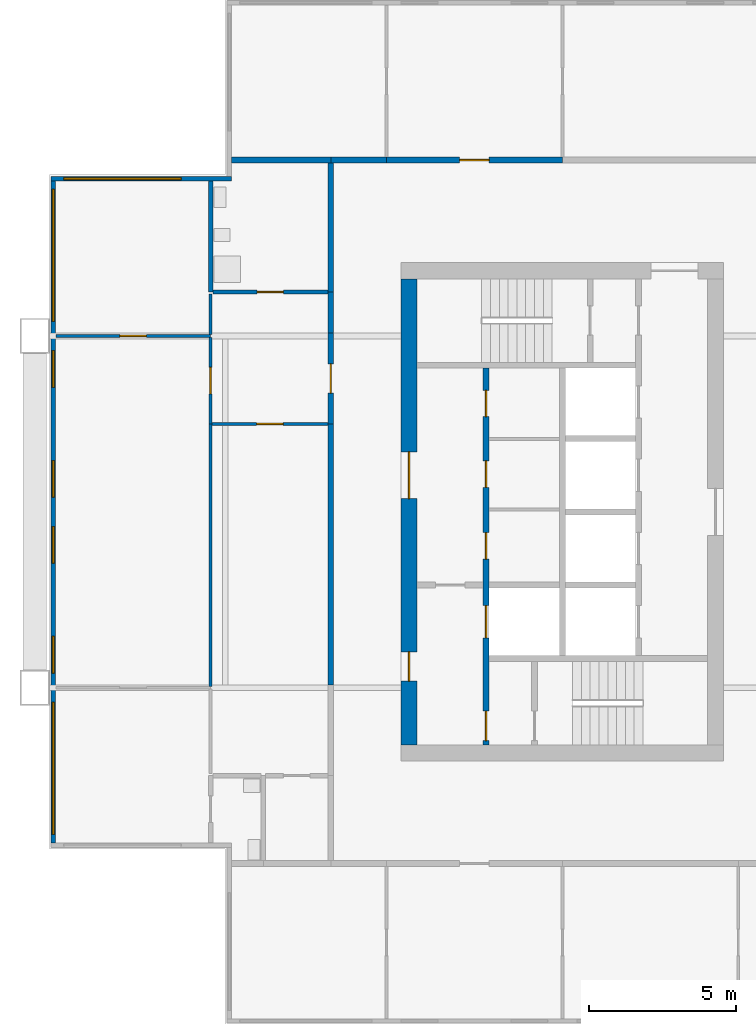
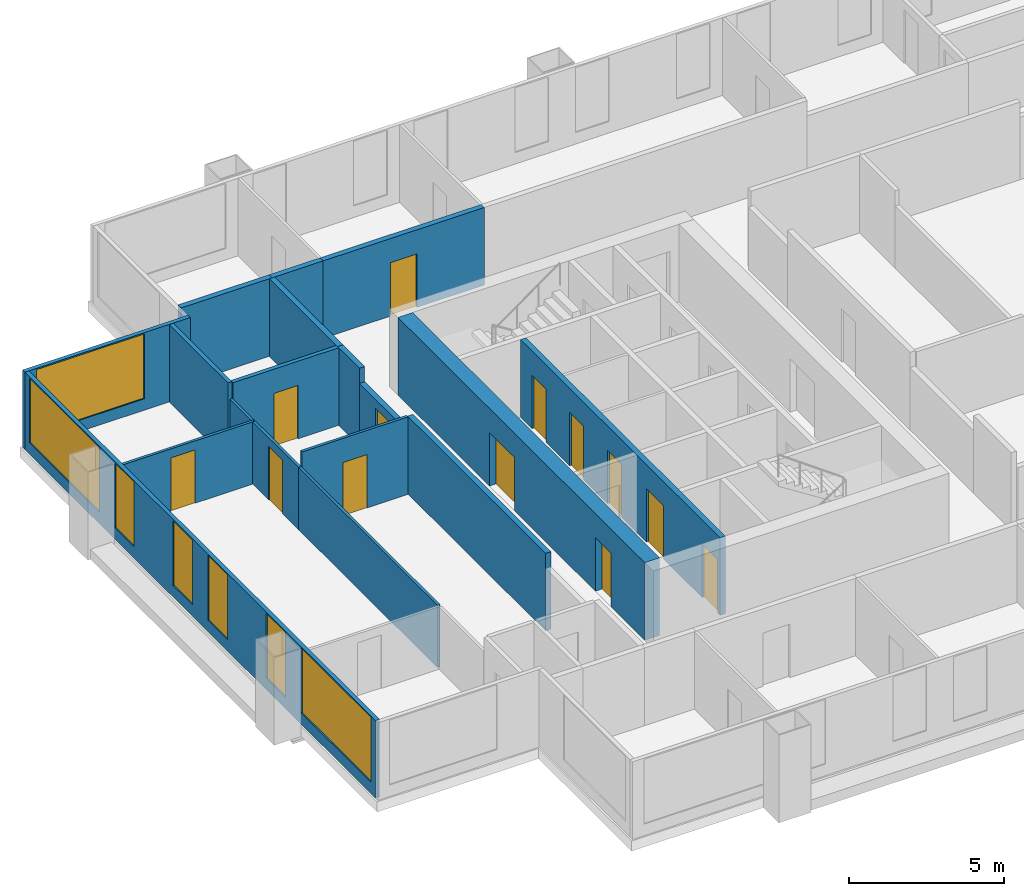
# One storey, part 3 of 9: 18 walls, 13 doors, 7 windows, 20 openings.
"""IFC4 building model written with IfcOpenShell, lengths in metres."""

from ifc_helpers import new_model, si_unit, direction, frame, frame_2d, origin, place, context, subcontext, project, spatial, rectangle, extrude, material, layer, layer_set, type_object, element, fill, save


model = new_model("IFC4")

# Units and contexts
model_context = context("Model", 3, precision=1e-05, world=origin(), true_north=direction((0.0, 1.0)))
body_context = subcontext(model_context, "Body", "Model", "MODEL_VIEW")
ifc_project = project(units=[si_unit("LENGTHUNIT", "METRE"), si_unit("AREAUNIT", "SQUARE_METRE"), si_unit("VOLUMEUNIT", "CUBIC_METRE"), si_unit("PLANEANGLEUNIT", "RADIAN"), si_unit("MASSUNIT", "GRAM", prefix="KILO")], contexts=[model_context])

# Site, building, storey
site_placement = place(None, origin())
site = spatial("IfcSite", under=ifc_project, at=site_placement, CompositionType="ELEMENT")
building_placement = place(site_placement, origin())
building = spatial("IfcBuilding", under=site, at=building_placement, Name="Kitamizu Gate Tower and Museum", CompositionType="ELEMENT")
storey_placement = place(building_placement, frame((0.0, 0.0, 196.199951171875)))
storey = spatial("IfcBuildingStorey", under=building, at=storey_placement, Name="L52", CompositionType="ELEMENT", Elevation=196.199951171875)

# Wall, openings, doors
ifc_material_1 = material(Name="Concrete Fc42", Category="concrete")
ifc_layer_1 = layer(ifc_material_1, 0.550048828125)
ifc_layer_set_1 = layer_set([ifc_layer_1], Name="Concrete Fc42")
wall_type_1 = type_object("IfcWallType", Name="Core wall 550", PredefinedType="SHEAR", material=ifc_layer_set_1)
wall_1_placement = place(storey_placement, frame((12.77490234375, 22.050048828125, 0.0), z_axis=(0.0, 0.0, 1.0), x_axis=(0.0, 1.0, 0.0)))
wall_1 = element("IfcWall", 1, at=wall_1_placement, inside=storey, type_object=wall_type_1, Name="Core wall WOUT", PredefinedType="SHEAR", context=body_context, shape_type="SweptSolid", body=[
    extrude(rectangle(XDim=15.89990234375, YDim=0.550048828125, at=frame_2d((7.949951171875, 0.0))), origin(), (0.0, 0.0, 1.0), 3.050048828125),
])
opening_1_placement = place(wall_1_placement, frame((8.39990234375, 0.0, 0.0)))
opening_1 = element("IfcOpeningElement", 2, at=opening_1_placement, cuts=wall_1, Name="Opening L52-035", PredefinedType="OPENING", context=body_context, shape_type="SweptSolid", body=[
    extrude(rectangle(XDim=1.60009765625, YDim=2.10009765625, at=frame_2d((0.800048828125, 1.050048828125))), frame((0.0, 0.28515625, 0.0), z_axis=(0.0, -1.0, 0.0), x_axis=(1.0, 0.0, 0.0)), (0.0, 0.0, 1.0), 0.570068359375),
])
opening_2_placement = place(wall_1_placement, frame((2.175048828125, 0.0, 0.0)))
opening_2 = element("IfcOpeningElement", 3, at=opening_2_placement, cuts=wall_1, Name="Opening L52-036", PredefinedType="OPENING", context=body_context, shape_type="SweptSolid", body=[
    extrude(rectangle(XDim=1.0, YDim=2.10009765625, at=frame_2d((0.5, 1.050048828125))), frame((0.0, 0.28515625, 0.0), z_axis=(0.0, -1.0, 0.0), x_axis=(1.0, 0.0, 0.0)), (0.0, 0.0, 1.0), 0.570068359375),
])
ifc_material_2 = material(Name="Timber door set", Category="wood")
door_type_1 = type_object("IfcDoorType", Name="Entrance door 1600", OperationType="DOUBLE_DOOR_SINGLE_SWING", PredefinedType="DOOR", material=ifc_material_2)
door_1_placement = place(opening_1_placement, origin())
door_1 = element("IfcDoor", 4, at=door_1_placement, inside=storey, type_object=door_type_1, Name="Lobby door L52-035", OperationType="DOUBLE_DOOR_SINGLE_SWING", OverallHeight=2.10009765625, OverallWidth=1.60009765625, PredefinedType="DOOR", context=body_context, shape_type="SweptSolid", body=[
    extrude(rectangle(XDim=1.60009765625, YDim=2.10009765625, at=frame_2d((0.800048828125, 1.050048828125))), frame((0.0, 0.02490234375, 0.0), z_axis=(0.0, -1.0, 0.0), x_axis=(1.0, 0.0, 0.0)), (0.0, 0.0, 1.0), 0.050048828125),
])
fill(opening_1, door_1)
ifc_material_3 = material(Name="Hollow metal door set")
door_type_2 = type_object("IfcDoorType", Name="Fire door 1000", OperationType="NOTDEFINED", PredefinedType="DOOR", material=ifc_material_3)
door_2_placement = place(opening_2_placement, frame((1.0, 0.0, 0.0), x_axis=(-1.0, 0.0, 0.0)))
door_2 = element("IfcDoor", 5, at=door_2_placement, inside=storey, type_object=door_type_2, Name="Fire-fighting lobby door L52-036", OperationType="SINGLE_SWING_LEFT", OverallHeight=2.10009765625, OverallWidth=1.0, PredefinedType="DOOR", context=body_context, shape_type="SweptSolid", body=[
    extrude(rectangle(XDim=1.0, YDim=2.10009765625, at=frame_2d((0.5, 1.050048828125))), frame((0.0, 0.02490234375, 0.0), z_axis=(0.0, -1.0, 0.0), x_axis=(1.0, 0.0, 0.0)), (0.0, 0.0, 1.0), 0.050048828125),
])
fill(opening_2, door_2)

# Wall, opening, door
ifc_material_4 = material(Name="Gypsum board on galvanised stud")
ifc_layer_2 = layer(ifc_material_4, 0.10009765625)
ifc_layer_set_2 = layer_set([ifc_layer_2], Name="Gypsum board on galvanised stud")
wall_type_2 = type_object("IfcWallType", Name="Partition 100 NOT RATED", PredefinedType="PARTITIONING", material=ifc_layer_set_2)
wall_2_placement = place(storey_placement, frame((6.0, 36.0, 0.0), z_axis=(0.0, 0.0, 1.0), x_axis=(-1.0, 0.0, 0.0)))
wall_2 = element("IfcWall", 6, at=wall_2_placement, inside=storey, type_object=wall_type_2, Name="Partition L52-041", PredefinedType="PARTITIONING", context=body_context, shape_type="SweptSolid", body=[
    extrude(rectangle(XDim=5.280029296875, YDim=0.10009765625, at=frame_2d((2.64013671875, 0.0))), origin(), (0.0, 0.0, 1.0), 2.449951171875),
])
opening_3_placement = place(wall_2_placement, frame((2.18994140625, 0.0, 0.0)))
opening_3 = element("IfcOpeningElement", 7, at=opening_3_placement, cuts=wall_2, Name="Opening L52-021", PredefinedType="OPENING", context=body_context, shape_type="SweptSolid", body=[
    extrude(rectangle(XDim=0.89990234375, YDim=2.10009765625, at=frame_2d((0.449951171875, 1.050048828125))), frame((0.0, 0.06005859375, 0.0), z_axis=(0.0, -1.0, 0.0), x_axis=(1.0, 0.0, 0.0)), (0.0, 0.0, 1.0), 0.1201171875),
])
ifc_material_5 = material(Name="Timber door set", Category="wood")
door_type_3 = type_object("IfcDoorType", Name="Room door 900", OperationType="NOTDEFINED", PredefinedType="DOOR", material=ifc_material_5)
door_3_placement = place(opening_3_placement, frame((0.89990234375, 0.0, 0.0), x_axis=(-1.0, 0.0, 0.0)))
door_3 = element("IfcDoor", 8, at=door_3_placement, inside=storey, type_object=door_type_3, Name="Door L52-021", OperationType="SINGLE_SWING_LEFT", OverallHeight=2.10009765625, OverallWidth=0.89990234375, PredefinedType="DOOR", context=body_context, shape_type="SweptSolid", body=[
    extrude(rectangle(XDim=0.89990234375, YDim=2.10009765625, at=frame_2d((0.449951171875, 1.050048828125))), frame((0.0, 0.02490234375, 0.0), z_axis=(0.0, -1.0, 0.0), x_axis=(1.0, 0.0, 0.0)), (0.0, 0.0, 1.0), 0.050048828125),
])
fill(opening_3, door_3)

# Wall
wall_3_placement = place(storey_placement, frame((6.0, 24.050048828125, 0.0), z_axis=(0.0, 0.0, 1.0), x_axis=(0.0, 1.0, 0.0)))
element("IfcWall", 9, at=wall_3_placement, inside=storey, type_object=wall_type_2, Name="Partition L52-042", PredefinedType="PARTITIONING", context=body_context, shape_type="SweptSolid", body=[
    extrude(rectangle(XDim=8.949951171875, YDim=0.10009765625, at=frame_2d((4.47509765625, 0.0))), origin(), (0.0, 0.0, 1.0), 2.449951171875),
])

# Wall, opening, door
wall_4_placement = place(storey_placement, frame((6.0, 33.0, 0.0), z_axis=(0.0, 0.0, 1.0), x_axis=(0.0, 1.0, 0.0)))
wall_4 = element("IfcWall", 10, at=wall_4_placement, inside=storey, type_object=wall_type_2, Name="Partition L52-043", PredefinedType="PARTITIONING", context=body_context, shape_type="SweptSolid", body=[
    extrude(rectangle(XDim=2.949951171875, YDim=0.10009765625, at=frame_2d((1.47509765625, 0.0))), origin(), (0.0, 0.0, 1.0), 2.449951171875),
])
opening_4_placement = place(wall_4_placement, frame((1.02490234375, 0.0, 0.0)))
opening_4 = element("IfcOpeningElement", 11, at=opening_4_placement, cuts=wall_4, Name="Opening L52-017", PredefinedType="OPENING", context=body_context, shape_type="SweptSolid", body=[
    extrude(rectangle(XDim=0.89990234375, YDim=2.10009765625, at=frame_2d((0.449951171875, 1.050048828125))), frame((0.0, 0.06005859375, 0.0), z_axis=(0.0, -1.0, 0.0), x_axis=(1.0, 0.0, 0.0)), (0.0, 0.0, 1.0), 0.1201171875),
])
door_4_placement = place(opening_4_placement, origin())
door_4 = element("IfcDoor", 12, at=door_4_placement, inside=storey, type_object=door_type_3, Name="Door L52-017", OperationType="SINGLE_SWING_LEFT", OverallHeight=2.10009765625, OverallWidth=0.89990234375, PredefinedType="DOOR", context=body_context, shape_type="SweptSolid", body=[
    extrude(rectangle(XDim=0.89990234375, YDim=2.10009765625, at=frame_2d((0.449951171875, 1.050048828125))), frame((0.0, 0.02490234375, 0.0), z_axis=(0.0, -1.0, 0.0), x_axis=(1.0, 0.0, 0.0)), (0.0, 0.0, 1.0), 0.050048828125),
])
fill(opening_4, door_4)

# Wall
wall_5_placement = place(storey_placement, frame((6.0, 36.050048828125, 0.0), z_axis=(0.0, 0.0, 1.0), x_axis=(0.0, 1.0, 0.0)))
element("IfcWall", 13, at=wall_5_placement, inside=storey, type_object=wall_type_2, Name="Partition L52-044", PredefinedType="PARTITIONING", context=body_context, shape_type="SweptSolid", body=[
    extrude(rectangle(XDim=1.375, YDim=0.10009765625, at=frame_2d((0.6875, 0.0))), origin(), (0.0, 0.0, 1.0), 2.449951171875),
])

# Wall, opening, door
wall_6_placement = place(storey_placement, frame((10.0, 33.0, 0.0), z_axis=(0.0, 0.0, 1.0), x_axis=(-1.0, 0.0, 0.0)))
wall_6 = element("IfcWall", 14, at=wall_6_placement, inside=storey, type_object=wall_type_2, Name="Partition L52-050", PredefinedType="PARTITIONING", context=body_context, shape_type="SweptSolid", body=[
    extrude(rectangle(XDim=3.949951171875, YDim=0.10009765625, at=frame_2d((1.97509765625, 0.0))), origin(), (0.0, 0.0, 1.0), 3.050048828125),
])
opening_5_placement = place(wall_6_placement, frame((1.52490234375, 0.0, 0.0)))
opening_5 = element("IfcOpeningElement", 15, at=opening_5_placement, cuts=wall_6, Name="Opening L52-018", PredefinedType="OPENING", context=body_context, shape_type="SweptSolid", body=[
    extrude(rectangle(XDim=0.89990234375, YDim=2.10009765625, at=frame_2d((0.449951171875, 1.050048828125))), frame((0.0, 0.06005859375, 0.0), z_axis=(0.0, -1.0, 0.0), x_axis=(1.0, 0.0, 0.0)), (0.0, 0.0, 1.0), 0.1201171875),
])
door_5_placement = place(opening_5_placement, frame((0.89990234375, 0.0, 0.0), x_axis=(-1.0, 0.0, 0.0)))
door_5 = element("IfcDoor", 16, at=door_5_placement, inside=storey, type_object=door_type_3, Name="Door L52-018", OperationType="SINGLE_SWING_RIGHT", OverallHeight=2.10009765625, OverallWidth=0.89990234375, PredefinedType="DOOR", context=body_context, shape_type="SweptSolid", body=[
    extrude(rectangle(XDim=0.89990234375, YDim=2.10009765625, at=frame_2d((0.449951171875, 1.050048828125))), frame((0.0, 0.02490234375, 0.0), z_axis=(0.0, -1.0, 0.0), x_axis=(1.0, 0.0, 0.0)), (0.0, 0.0, 1.0), 0.050048828125),
])
fill(opening_5, door_5)

# Wall
ifc_material_6 = material(Name="Gypsum board on galvanised stud")
ifc_layer_3 = layer(ifc_material_6, 0.14990234375)
ifc_layer_set_3 = layer_set([ifc_layer_3], Name="Gypsum board on galvanised stud")
wall_type_3 = type_object("IfcWallType", Name="Partition 150", PredefinedType="PARTITIONING", material=ifc_layer_set_3)
wall_7_placement = place(storey_placement, frame((6.0, 37.5, 0.0), z_axis=(0.0, 0.0, 1.0), x_axis=(0.0, 1.0, 0.0)))
element("IfcWall", 17, at=wall_7_placement, inside=storey, type_object=wall_type_3, Name="Partition L52-045", PredefinedType="PARTITIONING", context=body_context, shape_type="SweptSolid", body=[
    extrude(rectangle(XDim=3.780029296875, YDim=0.14990234375, at=frame_2d((1.89013671875, 0.0))), origin(), (0.0, 0.0, 1.0), 3.050048828125),
])

# Wall, opening, door
wall_8_placement = place(storey_placement, frame((10.0, 37.5, 0.0), z_axis=(0.0, 0.0, 1.0), x_axis=(-1.0, 0.0, 0.0)))
wall_8 = element("IfcWall", 18, at=wall_8_placement, inside=storey, type_object=wall_type_3, Name="Partition L52-053", PredefinedType="PARTITIONING", context=body_context, shape_type="SweptSolid", body=[
    extrude(rectangle(XDim=3.925048828125, YDim=0.14990234375, at=frame_2d((1.96240234375, 0.0))), origin(), (0.0, 0.0, 1.0), 3.050048828125),
])
opening_6_placement = place(wall_8_placement, frame((1.512451171875, 0.0, 0.0)))
opening_6 = element("IfcOpeningElement", 19, at=opening_6_placement, cuts=wall_8, Name="Opening L52-020", PredefinedType="OPENING", context=body_context, shape_type="SweptSolid", body=[
    extrude(rectangle(XDim=0.89990234375, YDim=2.10009765625, at=frame_2d((0.449951171875, 1.050048828125))), frame((0.0, 0.0849609375, 0.0), z_axis=(0.0, -1.0, 0.0), x_axis=(1.0, 0.0, 0.0)), (0.0, 0.0, 1.0), 0.169921875),
])
ifc_material_7 = material(Name="Timber door set", Category="wood")
door_type_4 = type_object("IfcDoorType", Name="Bathroom door 900", OperationType="NOTDEFINED", PredefinedType="DOOR", material=ifc_material_7)
door_6_placement = place(opening_6_placement, frame((0.89990234375, 0.0, 0.0), x_axis=(-1.0, 0.0, 0.0)))
door_6 = element("IfcDoor", 20, at=door_6_placement, inside=storey, type_object=door_type_4, Name="Bathroom door L52-020", OperationType="SINGLE_SWING_RIGHT", OverallHeight=2.10009765625, OverallWidth=0.89990234375, PredefinedType="DOOR", context=body_context, shape_type="SweptSolid", body=[
    extrude(rectangle(XDim=0.89990234375, YDim=2.10009765625, at=frame_2d((0.449951171875, 1.050048828125))), frame((0.0, 0.02490234375, 0.0), z_axis=(0.0, -1.0, 0.0), x_axis=(1.0, 0.0, 0.0)), (0.0, 0.0, 1.0), 0.050048828125),
])
fill(opening_6, door_6)

# Walls
ifc_material_8 = material(Name="Gypsum board on galvanised stud")
ifc_layer_4 = layer(ifc_material_8, 0.199951171875)
ifc_layer_set_4 = layer_set([ifc_layer_4], Name="Gypsum board on galvanised stud")
wall_type_4 = type_object("IfcWallType", Name="Partition 200", PredefinedType="PARTITIONING", material=ifc_layer_set_4)
wall_9_placement = place(storey_placement, frame((6.719970703125, 42.0, 0.0), z_axis=(0.0, 0.0, 1.0), x_axis=(1.0, 0.0, 0.0)))
element("IfcWall", 21, at=wall_9_placement, inside=storey, type_object=wall_type_4, Name="Partition L52-024", PredefinedType="PARTITIONING", context=body_context, shape_type="SweptSolid", body=[
    extrude(rectangle(XDim=3.380126953125, YDim=0.199951171875, at=frame_2d((1.68994140625, 0.0))), origin(), (0.0, 0.0, 1.0), 3.050048828125),
])
wall_10_placement = place(storey_placement, frame((10.10009765625, 42.0, 0.0), z_axis=(0.0, 0.0, 1.0), x_axis=(1.0, 0.0, 0.0)))
element("IfcWall", 22, at=wall_10_placement, inside=storey, type_object=wall_type_4, Name="Partition L52-025", PredefinedType="PARTITIONING", context=body_context, shape_type="SweptSolid", body=[
    extrude(rectangle(XDim=1.89990234375, YDim=0.199951171875, at=frame_2d((0.949951171875, 0.0))), origin(), (0.0, 0.0, 1.0), 3.050048828125),
])

# Wall, opening, door
wall_11_placement = place(storey_placement, frame((12.0, 42.0, 0.0), z_axis=(0.0, 0.0, 1.0), x_axis=(1.0, 0.0, 0.0)))
wall_11 = element("IfcWall", 23, at=wall_11_placement, inside=storey, type_object=wall_type_4, Name="Partition L52-027", PredefinedType="PARTITIONING", context=body_context, shape_type="SweptSolid", body=[
    extrude(rectangle(XDim=6.0, YDim=0.199951171875, at=frame_2d((3.0, 0.0))), origin(), (0.0, 0.0, 1.0), 3.050048828125),
])
opening_7_placement = place(wall_11_placement, frame((2.5, 0.0, 0.0)))
opening_7 = element("IfcOpeningElement", 24, at=opening_7_placement, cuts=wall_11, Name="Opening L52-010", PredefinedType="OPENING", context=body_context, shape_type="SweptSolid", body=[
    extrude(rectangle(XDim=1.0, YDim=2.10009765625, at=frame_2d((0.5, 1.050048828125))), frame((0.0, 0.10986328125, 0.0), z_axis=(0.0, -1.0, 0.0), x_axis=(1.0, 0.0, 0.0)), (0.0, 0.0, 1.0), 0.219970703125),
])
ifc_material_9 = material(Name="Timber door set", Category="wood")
door_type_5 = type_object("IfcDoorType", Name="Flat entrance door 1000", OperationType="NOTDEFINED", PredefinedType="DOOR", material=ifc_material_9)
door_7_placement = place(opening_7_placement, origin())
door_7 = element("IfcDoor", 25, at=door_7_placement, inside=storey, type_object=door_type_5, Name="Flat entrance door L52-010", OperationType="SINGLE_SWING_LEFT", OverallHeight=2.10009765625, OverallWidth=1.0, PredefinedType="DOOR", context=body_context, shape_type="SweptSolid", body=[
    extrude(rectangle(XDim=1.0, YDim=2.10009765625, at=frame_2d((0.5, 1.050048828125))), frame((0.0, 0.02490234375, 0.0), z_axis=(0.0, -1.0, 0.0), x_axis=(1.0, 0.0, 0.0)), (0.0, 0.0, 1.0), 0.050048828125),
])
fill(opening_7, door_7)

# Wall
wall_12_placement = place(storey_placement, frame((10.10009765625, 24.10009765625, 0.0), z_axis=(0.0, 0.0, 1.0), x_axis=(0.0, 1.0, 0.0)))
element("IfcWall", 26, at=wall_12_placement, inside=storey, type_object=wall_type_4, Name="Partition L52-052", PredefinedType="PARTITIONING", context=body_context, shape_type="SweptSolid", body=[
    extrude(rectangle(XDim=8.89990234375, YDim=0.199951171875, at=frame_2d((4.449951171875, 0.0))), origin(), (0.0, 0.0, 1.0), 3.050048828125),
])

# Wall, opening, door
wall_13_placement = place(storey_placement, frame((10.10009765625, 33.0, 0.0), z_axis=(0.0, 0.0, 1.0), x_axis=(0.0, 1.0, 0.0)))
wall_13 = element("IfcWall", 27, at=wall_13_placement, inside=storey, type_object=wall_type_4, Name="Partition L52-054", PredefinedType="PARTITIONING", context=body_context, shape_type="SweptSolid", body=[
    extrude(rectangle(XDim=3.10009765625, YDim=0.199951171875, at=frame_2d((1.550048828125, 0.0))), origin(), (0.0, 0.0, 1.0), 2.449951171875),
])
opening_8_placement = place(wall_13_placement, frame((1.050048828125, 0.0, 0.0)))
opening_8 = element("IfcOpeningElement", 28, at=opening_8_placement, cuts=wall_13, Name="Opening L52-016", PredefinedType="OPENING", context=body_context, shape_type="SweptSolid", body=[
    extrude(rectangle(XDim=1.0, YDim=2.10009765625, at=frame_2d((0.5, 1.050048828125))), frame((0.0, 0.10986328125, 0.0), z_axis=(0.0, -1.0, 0.0), x_axis=(1.0, 0.0, 0.0)), (0.0, 0.0, 1.0), 0.219970703125),
])
door_8_placement = place(opening_8_placement, origin())
door_8 = element("IfcDoor", 29, at=door_8_placement, inside=storey, type_object=door_type_5, Name="Flat entrance door L52-016", OperationType="SINGLE_SWING_RIGHT", OverallHeight=2.10009765625, OverallWidth=1.0, PredefinedType="DOOR", context=body_context, shape_type="SweptSolid", body=[
    extrude(rectangle(XDim=1.0, YDim=2.10009765625, at=frame_2d((0.5, 1.050048828125))), frame((0.0, 0.02490234375, 0.0), z_axis=(0.0, -1.0, 0.0), x_axis=(1.0, 0.0, 0.0)), (0.0, 0.0, 1.0), 0.050048828125),
])
fill(opening_8, door_8)

# Walls
wall_14_placement = place(storey_placement, frame((10.10009765625, 36.10009765625, 0.0), z_axis=(0.0, 0.0, 1.0), x_axis=(0.0, 1.0, 0.0)))
element("IfcWall", 30, at=wall_14_placement, inside=storey, type_object=wall_type_4, Name="Partition L52-055", PredefinedType="PARTITIONING", context=body_context, shape_type="SweptSolid", body=[
    extrude(rectangle(XDim=1.39990234375, YDim=0.199951171875, at=frame_2d((0.699951171875, 0.0))), origin(), (0.0, 0.0, 1.0), 3.050048828125),
])
wall_15_placement = place(storey_placement, frame((10.10009765625, 37.5, 0.0), z_axis=(0.0, 0.0, 1.0), x_axis=(0.0, 1.0, 0.0)))
element("IfcWall", 31, at=wall_15_placement, inside=storey, type_object=wall_type_4, Name="Partition L52-056", PredefinedType="PARTITIONING", context=body_context, shape_type="SweptSolid", body=[
    extrude(rectangle(XDim=4.39990234375, YDim=0.199951171875, at=frame_2d((2.199951171875, 0.0))), origin(), (0.0, 0.0, 1.0), 3.050048828125),
])

# Wall, openings, doors
ifc_material_10 = material(Name="Concrete Fc42", Category="concrete")
ifc_layer_5 = layer(ifc_material_10, 0.199951171875)
ifc_layer_set_5 = layer_set([ifc_layer_5], Name="Concrete Fc42")
wall_type_5 = type_object("IfcWallType", Name="Shaft wall 200", PredefinedType="SOLIDWALL", material=ifc_layer_set_5)
wall_16_placement = place(storey_placement, frame((15.39990234375, 22.050048828125, 0.0), z_axis=(0.0, 0.0, 1.0), x_axis=(0.0, 1.0, 0.0)))
wall_16 = element("IfcWall", 32, at=wall_16_placement, inside=storey, type_object=wall_type_5, Name="Shaft wall WWEST", PredefinedType="SOLIDWALL", context=body_context, shape_type="SweptSolid", body=[
    extrude(rectangle(XDim=12.849853515625, YDim=0.199951171875, at=frame_2d((6.4248046875, 0.0))), origin(), (0.0, 0.0, 1.0), 3.050048828125),
])
opening_9_placement = place(wall_16_placement, frame((3.64990234375, 0.0, 0.0)))
opening_9 = element("IfcOpeningElement", 33, at=opening_9_placement, cuts=wall_16, Name="Opening LD", PredefinedType="OPENING", context=body_context, shape_type="SweptSolid", body=[
    extrude(rectangle(XDim=1.10009765625, YDim=2.10009765625, at=frame_2d((0.550048828125, 1.050048828125))), frame((0.0, 0.10986328125, 0.0), z_axis=(0.0, -1.0, 0.0), x_axis=(1.0, 0.0, 0.0)), (0.0, 0.0, 1.0), 0.219970703125),
])
opening_10_placement = place(wall_16_placement, frame((0.14990234375, 0.0, 0.0)))
opening_10 = element("IfcOpeningElement", 34, at=opening_10_placement, cuts=wall_16, Name="Opening L52-031", PredefinedType="OPENING", context=body_context, shape_type="SweptSolid", body=[
    extrude(rectangle(XDim=1.0, YDim=2.10009765625, at=frame_2d((0.5, 1.050048828125))), frame((0.0, 0.10986328125, 0.0), z_axis=(0.0, -1.0, 0.0), x_axis=(1.0, 0.0, 0.0)), (0.0, 0.0, 1.0), 0.219970703125),
])
opening_11_placement = place(wall_16_placement, frame((6.341064453125, 0.0, 0.0)))
opening_11 = element("IfcOpeningElement", 35, at=opening_11_placement, cuts=wall_16, Name="Opening L52-039", PredefinedType="OPENING", context=body_context, shape_type="SweptSolid", body=[
    extrude(rectangle(XDim=0.89990234375, YDim=2.10009765625, at=frame_2d((0.449951171875, 1.050048828125))), frame((0.0, 0.10986328125, 0.0), z_axis=(0.0, -1.0, 0.0), x_axis=(1.0, 0.0, 0.0)), (0.0, 0.0, 1.0), 0.219970703125),
])
opening_12_placement = place(wall_16_placement, frame((8.78662109375, 0.0, 0.0)))
opening_12 = element("IfcOpeningElement", 36, at=opening_12_placement, cuts=wall_16, Name="Opening L52-040", PredefinedType="OPENING", context=body_context, shape_type="SweptSolid", body=[
    extrude(rectangle(XDim=0.89990234375, YDim=2.10009765625, at=frame_2d((0.449951171875, 1.050048828125))), frame((0.0, 0.10986328125, 0.0), z_axis=(0.0, -1.0, 0.0), x_axis=(1.0, 0.0, 0.0)), (0.0, 0.0, 1.0), 0.219970703125),
])
opening_13_placement = place(wall_16_placement, frame((11.195556640625, 0.0, 0.0)))
opening_13 = element("IfcOpeningElement", 37, at=opening_13_placement, cuts=wall_16, Name="Opening L52-041", PredefinedType="OPENING", context=body_context, shape_type="SweptSolid", body=[
    extrude(rectangle(XDim=0.89990234375, YDim=2.10009765625, at=frame_2d((0.449951171875, 1.050048828125))), frame((0.0, 0.10986328125, 0.0), z_axis=(0.0, -1.0, 0.0), x_axis=(1.0, 0.0, 0.0)), (0.0, 0.0, 1.0), 0.219970703125),
])
door_9_placement = place(opening_10_placement, frame((1.0, 0.0, 0.0), x_axis=(-1.0, 0.0, 0.0)))
door_9 = element("IfcDoor", 38, at=door_9_placement, inside=storey, type_object=door_type_2, Name="Stair lobby door L52-031", OperationType="SINGLE_SWING_LEFT", OverallHeight=2.10009765625, OverallWidth=1.0, PredefinedType="DOOR", context=body_context, shape_type="SweptSolid", body=[
    extrude(rectangle(XDim=1.0, YDim=2.10009765625, at=frame_2d((0.5, 1.050048828125))), frame((0.0, 0.02490234375, 0.0), z_axis=(0.0, -1.0, 0.0), x_axis=(1.0, 0.0, 0.0)), (0.0, 0.0, 1.0), 0.050048828125),
])
fill(opening_10, door_9)
ifc_material_11 = material(Name="Hollow metal door set")
door_type_6 = type_object("IfcDoorType", Name="Landing door 1100", OperationType="SLIDING_TO_LEFT", PredefinedType="DOOR", material=ifc_material_11)
door_10_placement = place(opening_9_placement, origin())
door_10 = element("IfcDoor", 39, at=door_10_placement, inside=storey, type_object=door_type_6, Name="Landing door WFF1", OperationType="SLIDING_TO_LEFT", OverallHeight=2.10009765625, OverallWidth=1.10009765625, PredefinedType="DOOR", context=body_context, shape_type="SweptSolid", body=[
    extrude(rectangle(XDim=1.10009765625, YDim=2.10009765625, at=frame_2d((0.550048828125, 1.050048828125))), frame((0.0, 0.02490234375, 0.0), z_axis=(0.0, -1.0, 0.0), x_axis=(1.0, 0.0, 0.0)), (0.0, 0.0, 1.0), 0.050048828125),
])
fill(opening_9, door_10)
ifc_material_12 = material(Name="Timber door set", Category="wood")
door_type_7 = type_object("IfcDoorType", Name="Service door 900", OperationType="NOTDEFINED", PredefinedType="DOOR", material=ifc_material_12)
door_11_placement = place(opening_11_placement, frame((0.89990234375, 0.0, 0.0), x_axis=(-1.0, 0.0, 0.0)))
door_11 = element("IfcDoor", 40, at=door_11_placement, inside=storey, type_object=door_type_7, Name="Service door L52-039", OperationType="SINGLE_SWING_RIGHT", OverallHeight=2.10009765625, OverallWidth=0.89990234375, PredefinedType="DOOR", context=body_context, shape_type="SweptSolid", body=[
    extrude(rectangle(XDim=0.89990234375, YDim=2.10009765625, at=frame_2d((0.449951171875, 1.050048828125))), frame((0.0, 0.02490234375, 0.0), z_axis=(0.0, -1.0, 0.0), x_axis=(1.0, 0.0, 0.0)), (0.0, 0.0, 1.0), 0.050048828125),
])
fill(opening_11, door_11)
door_12_placement = place(opening_12_placement, frame((0.89990234375, 0.0, 0.0), x_axis=(-1.0, 0.0, 0.0)))
door_12 = element("IfcDoor", 41, at=door_12_placement, inside=storey, type_object=door_type_7, Name="Service door L52-040", OperationType="SINGLE_SWING_LEFT", OverallHeight=2.10009765625, OverallWidth=0.89990234375, PredefinedType="DOOR", context=body_context, shape_type="SweptSolid", body=[
    extrude(rectangle(XDim=0.89990234375, YDim=2.10009765625, at=frame_2d((0.449951171875, 1.050048828125))), frame((0.0, 0.02490234375, 0.0), z_axis=(0.0, -1.0, 0.0), x_axis=(1.0, 0.0, 0.0)), (0.0, 0.0, 1.0), 0.050048828125),
])
fill(opening_12, door_12)
door_13_placement = place(opening_13_placement, frame((0.89990234375, 0.0, 0.0), x_axis=(-1.0, 0.0, 0.0)))
door_13 = element("IfcDoor", 42, at=door_13_placement, inside=storey, type_object=door_type_7, Name="Service door L52-041", OperationType="SINGLE_SWING_RIGHT", OverallHeight=2.10009765625, OverallWidth=0.89990234375, PredefinedType="DOOR", context=body_context, shape_type="SweptSolid", body=[
    extrude(rectangle(XDim=0.89990234375, YDim=2.10009765625, at=frame_2d((0.449951171875, 1.050048828125))), frame((0.0, 0.02490234375, 0.0), z_axis=(0.0, -1.0, 0.0), x_axis=(1.0, 0.0, 0.0)), (0.0, 0.0, 1.0), 0.050048828125),
])
fill(opening_13, door_13)

# Wall, opening, window
ifc_material_13 = material(Name="Bronze anodised aluminium frame with insulated spandrel and tinted glass", Category="aluminium")
ifc_layer_6 = layer(ifc_material_13, 0.14990234375)
ifc_layer_set_6 = layer_set([ifc_layer_6], Name="Bronze anodised aluminium frame with insulated spandrel and tinted glass")
wall_type_6 = type_object("IfcWallType", Name="WINDOW WALL 150 BRONZE FRAME EI 30", PredefinedType="ELEMENTEDWALL", material=ifc_layer_set_6)
wall_17_placement = place(storey_placement, frame((0.56005859375, 41.364990234375, 0.0), z_axis=(0.0, 0.0, 1.0), x_axis=(1.0, 0.0, 0.0)))
wall_17 = element("IfcWall", 43, at=wall_17_placement, inside=storey, type_object=wall_type_6, Name="Window wall north L52", PredefinedType="ELEMENTEDWALL", context=body_context, shape_type="SweptSolid", body=[
    extrude(rectangle(XDim=6.14990234375, YDim=0.14990234375, at=frame_2d((3.074951171875, 0.0))), origin(), (0.0, 0.0, 1.0), 3.050048828125),
])
opening_14_placement = place(wall_17_placement, frame((0.43994140625, 0.0, 0.449951171875)))
opening_14 = element("IfcOpeningElement", 44, at=opening_14_placement, cuts=wall_17, Name="Opening W16", PredefinedType="OPENING", context=body_context, shape_type="SweptSolid", body=[
    extrude(rectangle(XDim=4.0, YDim=2.550048828125, at=frame_2d((2.0, 1.27490234375))), frame((0.0, 0.0849609375, 0.0), z_axis=(0.0, -1.0, 0.0), x_axis=(1.0, 0.0, 0.0)), (0.0, 0.0, 1.0), 0.169921875),
])
ifc_material_14 = material(Name="Bronze anodised aluminium frame, tinted triple glazing", Category="aluminium")
window_type_1 = type_object("IfcWindowType", Name="WINDOW 4000 x 2550 SILL 450", PartitioningType="SINGLE_PANEL", PredefinedType="WINDOW", material=ifc_material_14)
window_1_placement = place(opening_14_placement, origin())
window_1 = element("IfcWindow", 45, at=window_1_placement, inside=storey, type_object=window_type_1, Name="Window W16 L52", OverallHeight=2.550048828125, OverallWidth=4.0, PartitioningType="SINGLE_PANEL", PredefinedType="WINDOW", context=body_context, shape_type="SweptSolid", body=[
    extrude(rectangle(XDim=4.0, YDim=2.550048828125, at=frame_2d((2.0, 1.27490234375))), frame((0.0, 0.030029296875, 0.0), z_axis=(0.0, -1.0, 0.0), x_axis=(1.0, 0.0, 0.0)), (0.0, 0.0, 1.0), 0.06005859375),
])
fill(opening_14, window_1)

# Wall, openings, windows
wall_18_placement = place(storey_placement, frame((0.635009765625, 18.7099609375, 0.0), z_axis=(0.0, 0.0, 1.0), x_axis=(0.0, 1.0, 0.0)))
wall_18 = element("IfcWall", 46, at=wall_18_placement, inside=storey, type_object=wall_type_6, Name="Window wall west L52", PredefinedType="ELEMENTEDWALL", context=body_context, shape_type="SweptSolid", body=[
    extrude(rectangle(XDim=22.580078125, YDim=0.14990234375, at=frame_2d((11.2900390625, 0.0))), origin(), (0.0, 0.0, 1.0), 3.050048828125),
])
opening_15_placement = place(wall_18_placement, frame((0.2900390625, 0.0, 0.449951171875)))
opening_15 = element("IfcOpeningElement", 47, at=opening_15_placement, cuts=wall_18, Name="Opening W15", PredefinedType="OPENING", context=body_context, shape_type="SweptSolid", body=[
    extrude(rectangle(XDim=4.5, YDim=2.550048828125, at=frame_2d((2.25, 1.27490234375))), frame((0.0, 0.0849609375, 0.0), z_axis=(0.0, -1.0, 0.0), x_axis=(1.0, 0.0, 0.0)), (0.0, 0.0, 1.0), 0.169921875),
])
opening_16_placement = place(wall_18_placement, frame((5.7900390625, 0.0, 0.449951171875)))
opening_16 = element("IfcOpeningElement", 48, at=opening_16_placement, cuts=wall_18, Name="Opening W27", PredefinedType="OPENING", context=body_context, shape_type="SweptSolid", body=[
    extrude(rectangle(XDim=1.25, YDim=2.550048828125, at=frame_2d((0.625, 1.27490234375))), frame((0.0, 0.0849609375, 0.0), z_axis=(0.0, -1.0, 0.0), x_axis=(1.0, 0.0, 0.0)), (0.0, 0.0, 1.0), 0.169921875),
])
opening_17_placement = place(wall_18_placement, frame((9.5400390625, 0.0, 0.449951171875)))
opening_17 = element("IfcOpeningElement", 49, at=opening_17_placement, cuts=wall_18, Name="Opening W27", PredefinedType="OPENING", context=body_context, shape_type="SweptSolid", body=[
    extrude(rectangle(XDim=1.25, YDim=2.550048828125, at=frame_2d((0.625, 1.27490234375))), frame((0.0, 0.0849609375, 0.0), z_axis=(0.0, -1.0, 0.0), x_axis=(1.0, 0.0, 0.0)), (0.0, 0.0, 1.0), 0.169921875),
])
opening_18_placement = place(wall_18_placement, frame((11.7900390625, 0.0, 0.449951171875)))
opening_18 = element("IfcOpeningElement", 50, at=opening_18_placement, cuts=wall_18, Name="Opening W27", PredefinedType="OPENING", context=body_context, shape_type="SweptSolid", body=[
    extrude(rectangle(XDim=1.25, YDim=2.550048828125, at=frame_2d((0.625, 1.27490234375))), frame((0.0, 0.0849609375, 0.0), z_axis=(0.0, -1.0, 0.0), x_axis=(1.0, 0.0, 0.0)), (0.0, 0.0, 1.0), 0.169921875),
])
opening_19_placement = place(wall_18_placement, frame((15.5400390625, 0.0, 0.449951171875)))
opening_19 = element("IfcOpeningElement", 51, at=opening_19_placement, cuts=wall_18, Name="Opening W27", PredefinedType="OPENING", context=body_context, shape_type="SweptSolid", body=[
    extrude(rectangle(XDim=1.25, YDim=2.550048828125, at=frame_2d((0.625, 1.27490234375))), frame((0.0, 0.0849609375, 0.0), z_axis=(0.0, -1.0, 0.0), x_axis=(1.0, 0.0, 0.0)), (0.0, 0.0, 1.0), 0.169921875),
])
opening_20_placement = place(wall_18_placement, frame((17.7900390625, 0.0, 0.449951171875)))
opening_20 = element("IfcOpeningElement", 52, at=opening_20_placement, cuts=wall_18, Name="Opening W15", PredefinedType="OPENING", context=body_context, shape_type="SweptSolid", body=[
    extrude(rectangle(XDim=4.5, YDim=2.550048828125, at=frame_2d((2.25, 1.27490234375))), frame((0.0, 0.0849609375, 0.0), z_axis=(0.0, -1.0, 0.0), x_axis=(1.0, 0.0, 0.0)), (0.0, 0.0, 1.0), 0.169921875),
])
ifc_material_15 = material(Name="Bronze anodised aluminium frame, tinted triple glazing", Category="aluminium")
window_type_2 = type_object("IfcWindowType", Name="WINDOW 1250 x 2550 SILL 450", PartitioningType="SINGLE_PANEL", PredefinedType="WINDOW", material=ifc_material_15)
window_2_placement = place(opening_16_placement, origin())
window_2 = element("IfcWindow", 53, at=window_2_placement, inside=storey, type_object=window_type_2, Name="Window W27 L52", OverallHeight=2.550048828125, OverallWidth=1.25, PartitioningType="SINGLE_PANEL", PredefinedType="WINDOW", context=body_context, shape_type="SweptSolid", body=[
    extrude(rectangle(XDim=1.25, YDim=2.550048828125, at=frame_2d((0.625, 1.27490234375))), frame((0.0, 0.030029296875, 0.0), z_axis=(0.0, -1.0, 0.0), x_axis=(1.0, 0.0, 0.0)), (0.0, 0.0, 1.0), 0.06005859375),
])
fill(opening_16, window_2)
window_3_placement = place(opening_17_placement, origin())
window_3 = element("IfcWindow", 54, at=window_3_placement, inside=storey, type_object=window_type_2, Name="Window W27 L52", OverallHeight=2.550048828125, OverallWidth=1.25, PartitioningType="SINGLE_PANEL", PredefinedType="WINDOW", context=body_context, shape_type="SweptSolid", body=[
    extrude(rectangle(XDim=1.25, YDim=2.550048828125, at=frame_2d((0.625, 1.27490234375))), frame((0.0, 0.030029296875, 0.0), z_axis=(0.0, -1.0, 0.0), x_axis=(1.0, 0.0, 0.0)), (0.0, 0.0, 1.0), 0.06005859375),
])
fill(opening_17, window_3)
window_4_placement = place(opening_18_placement, origin())
window_4 = element("IfcWindow", 55, at=window_4_placement, inside=storey, type_object=window_type_2, Name="Window W27 L52", OverallHeight=2.550048828125, OverallWidth=1.25, PartitioningType="SINGLE_PANEL", PredefinedType="WINDOW", context=body_context, shape_type="SweptSolid", body=[
    extrude(rectangle(XDim=1.25, YDim=2.550048828125, at=frame_2d((0.625, 1.27490234375))), frame((0.0, 0.030029296875, 0.0), z_axis=(0.0, -1.0, 0.0), x_axis=(1.0, 0.0, 0.0)), (0.0, 0.0, 1.0), 0.06005859375),
])
fill(opening_18, window_4)
window_5_placement = place(opening_19_placement, origin())
window_5 = element("IfcWindow", 56, at=window_5_placement, inside=storey, type_object=window_type_2, Name="Window W27 L52", OverallHeight=2.550048828125, OverallWidth=1.25, PartitioningType="SINGLE_PANEL", PredefinedType="WINDOW", context=body_context, shape_type="SweptSolid", body=[
    extrude(rectangle(XDim=1.25, YDim=2.550048828125, at=frame_2d((0.625, 1.27490234375))), frame((0.0, 0.030029296875, 0.0), z_axis=(0.0, -1.0, 0.0), x_axis=(1.0, 0.0, 0.0)), (0.0, 0.0, 1.0), 0.06005859375),
])
fill(opening_19, window_5)
ifc_material_16 = material(Name="Bronze anodised aluminium frame, tinted triple glazing", Category="aluminium")
window_type_3 = type_object("IfcWindowType", Name="WINDOW 4500 x 2550 SILL 450", PartitioningType="SINGLE_PANEL", PredefinedType="WINDOW", material=ifc_material_16)
window_6_placement = place(opening_15_placement, origin())
window_6 = element("IfcWindow", 57, at=window_6_placement, inside=storey, type_object=window_type_3, Name="Window W15 L52", OverallHeight=2.550048828125, OverallWidth=4.5, PartitioningType="SINGLE_PANEL", PredefinedType="WINDOW", context=body_context, shape_type="SweptSolid", body=[
    extrude(rectangle(XDim=4.5, YDim=2.550048828125, at=frame_2d((2.25, 1.27490234375))), frame((0.0, 0.030029296875, 0.0), z_axis=(0.0, -1.0, 0.0), x_axis=(1.0, 0.0, 0.0)), (0.0, 0.0, 1.0), 0.06005859375),
])
fill(opening_15, window_6)
window_7_placement = place(opening_20_placement, origin())
window_7 = element("IfcWindow", 58, at=window_7_placement, inside=storey, type_object=window_type_3, Name="Window W15 L52", OverallHeight=2.550048828125, OverallWidth=4.5, PartitioningType="SINGLE_PANEL", PredefinedType="WINDOW", context=body_context, shape_type="SweptSolid", body=[
    extrude(rectangle(XDim=4.5, YDim=2.550048828125, at=frame_2d((2.25, 1.27490234375))), frame((0.0, 0.030029296875, 0.0), z_axis=(0.0, -1.0, 0.0), x_axis=(1.0, 0.0, 0.0)), (0.0, 0.0, 1.0), 0.06005859375),
])
fill(opening_20, window_7)

save(model, "model.ifc")
